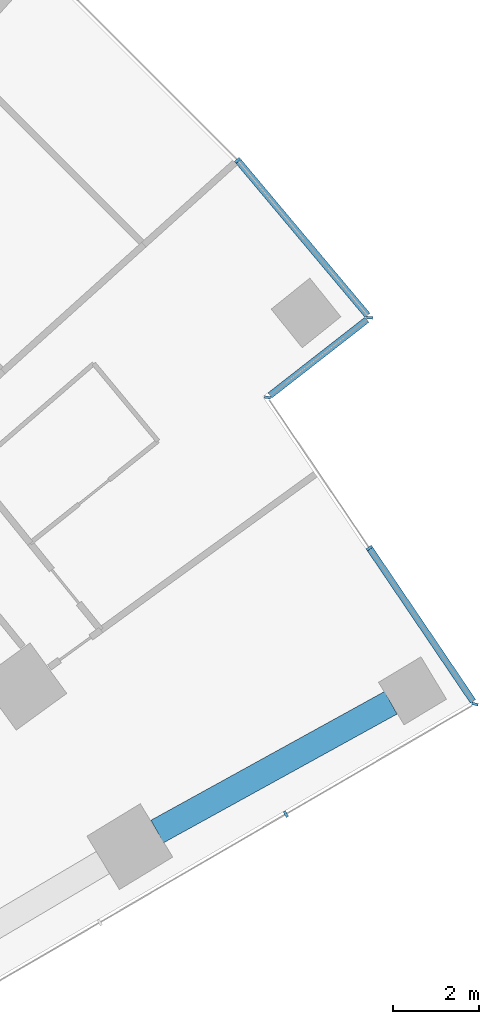
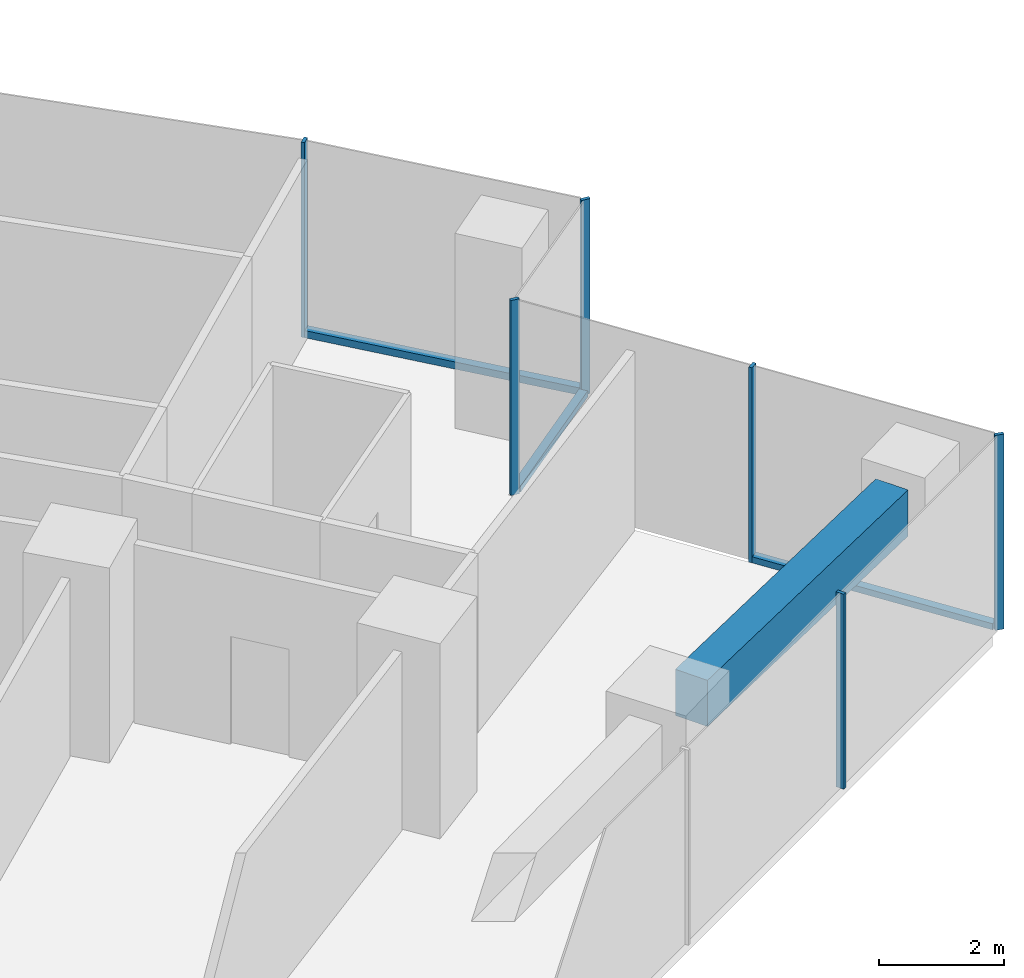
# One storey, part 9 of 20: 9 members, 1 beam, 4 elements without a shape of their own.
"""IFC4 building model written with IfcOpenShell, lengths in metres."""

from ifc_helpers import new_model, si_unit, direction, frame, origin, origin_2d, place, context, subcontext, project, spatial, rectangle, extrude, material, layer, layer_set, material_profile, profile_set, type_object, element, aggregate, save


model = new_model("IFC4")

# Units and contexts
model_context = context("Model", 3, precision=1e-05, world=origin(), true_north=direction((0.0, 1.0)))
body_context = subcontext(model_context, "Body", "Model", "MODEL_VIEW")
ifc_project = project(units=[si_unit("LENGTHUNIT", "METRE"), si_unit("AREAUNIT", "SQUARE_METRE"), si_unit("VOLUMEUNIT", "CUBIC_METRE"), si_unit("PLANEANGLEUNIT", "RADIAN"), si_unit("MASSUNIT", "GRAM", prefix="KILO")], contexts=[model_context])

# Site, building, storey
site_placement = place(None, origin())
site = spatial("IfcSite", under=ifc_project, at=site_placement, CompositionType="ELEMENT")
building_placement = place(site_placement, origin())
building = spatial("IfcBuilding", under=site, at=building_placement, Name="Stone Belt Terrace Tower", CompositionType="ELEMENT")
storey_placement = place(building_placement, frame((0.0, 0.0, 106.0)))
storey = spatial("IfcBuildingStorey", under=building, at=storey_placement, Name="L25", CompositionType="ELEMENT", Elevation=106.0)

# Curtain wall, members
ifc_material_1 = material(Name="Aluminium 6063-T6 anodised frame", Category="aluminium")
ifc_layer_1 = layer(ifc_material_1, 0.14990234375)
ifc_layer_set_1 = layer_set([ifc_layer_1], Name="CW-A unitised convex-face curtain wall")
curtain_wall_type_1 = type_object("IfcCurtainWallType", Name="CW-A unitised convex-face curtain wall", PredefinedType="NOTDEFINED", material=ifc_layer_set_1)
curtain_wall_1_placement = place(storey_placement, origin())
curtain_wall_1 = element("IfcCurtainWall", 1, at=curtain_wall_1_placement, inside=storey, type_object=curtain_wall_type_1, Name="CW-A convex face L25", PredefinedType="NOTDEFINED")
ifc_material_profile_1 = material_profile(ifc_material_1, rectangle(XDim=0.14990234375, YDim=0.06005859375, at=origin_2d()), Name="Aluminium 6063-T6 60x150")
ifc_profile_set_1 = profile_set([ifc_material_profile_1], Name="Aluminium 6063-T6 anodised frame")
member_type_1 = type_object("IfcMemberType", Name="CW-A mullion 60 x 150", PredefinedType="MULLION", material=ifc_profile_set_1)
member_1_placement = place(storey_placement, frame((52.539794921875, 40.89208984375, 0.0), z_axis=(0.0, 0.0, 1.0), x_axis=(-0.994464768622, 0.105070566623, 0.0)))
member_1 = element("IfcMember", 2, at=member_1_placement, type_object=member_type_1, Name="CW-A mullion 1", PredefinedType="MULLION", context=body_context, shape_type="SweptSolid", body=[
    extrude(rectangle(XDim=0.14990234375, YDim=0.06005859375, at=origin_2d()), origin(), (0.0, 0.0, 1.0), 3.800048828125),
])
member_2_placement = place(storey_placement, frame((49.474609375, 44.5478515625, 0.0), z_axis=(0.0, 0.0, 1.0), x_axis=(-0.737400080522, -0.675456231925, 0.0)))
member_2 = element("IfcMember", 3, at=member_2_placement, type_object=member_type_1, Name="CW-A mullion 2", PredefinedType="MULLION", context=body_context, shape_type="SweptSolid", body=[
    extrude(rectangle(XDim=0.14990234375, YDim=0.06005859375, at=origin_2d()), origin(), (0.0, 0.0, 1.0), 3.800048828125),
])
ifc_material_profile_2 = material_profile(ifc_material_1, rectangle(XDim=0.14990234375, YDim=0.139892578125, at=origin_2d()), Name="Aluminium 6063-T6 150x140")
ifc_profile_set_2 = profile_set([ifc_material_profile_2], Name="Aluminium 6063-T6 anodised frame")
member_type_2 = type_object("IfcMemberType", Name="CW-A transom 140 x 150", PredefinedType="USERDEFINED", material=ifc_profile_set_2)
member_3_placement = place(storey_placement, frame((52.49169921875, 40.949462890625, 0.070068359375), z_axis=(-0.642504178028, 0.766282181195, 0.0), x_axis=(-0.766282181195, -0.642504178028, 0.0)))
member_3 = element("IfcMember", 4, at=member_3_placement, type_object=member_type_2, Name="CW-A transom 1.1", ObjectType="TRANSOM", PredefinedType="USERDEFINED", context=body_context, shape_type="SweptSolid", body=[
    extrude(rectangle(XDim=0.14990234375, YDim=0.139892578125, at=origin_2d()), origin(), (0.0, 0.0, 1.0), 4.662841796875),
])
aggregate(curtain_wall_1, [member_1, member_2, member_3])

# Curtain wall, member
ifc_layer_2 = layer(ifc_material_1, 0.14990234375)
ifc_layer_set_2 = layer_set([ifc_layer_2], Name="CW-C stick curtain wall, horn ends and notches")
curtain_wall_type_2 = type_object("IfcCurtainWallType", Name="CW-C stick curtain wall, horn ends and notches", PredefinedType="NOTDEFINED", material=ifc_layer_set_2)
curtain_wall_2_placement = place(storey_placement, origin())
curtain_wall_2 = element("IfcCurtainWall", 5, at=curtain_wall_2_placement, inside=storey, type_object=curtain_wall_type_2, Name="CW-C end face L25", PredefinedType="NOTDEFINED")
ifc_material_profile_3 = material_profile(ifc_material_1, rectangle(XDim=0.14990234375, YDim=0.06005859375, at=origin_2d()), Name="Aluminium 6063-T6 60x150")
ifc_profile_set_3 = profile_set([ifc_material_profile_3], Name="Aluminium 6063-T6 anodised frame")
member_type_3 = type_object("IfcMemberType", Name="CW-C mullion 60 x 150", PredefinedType="MULLION", material=ifc_profile_set_3)
member_4_placement = place(storey_placement, frame((50.595703125, 29.365478515625, 0.0), z_axis=(0.0, 0.0, 1.0), x_axis=(-0.503080901861, 0.864239322284, 0.0)))
member_4 = element("IfcMember", 6, at=member_4_placement, type_object=member_type_3, Name="CW-C mullion 4", PredefinedType="MULLION", context=body_context, shape_type="SweptSolid", body=[
    extrude(rectangle(XDim=0.14990234375, YDim=0.06005859375, at=origin_2d()), origin(), (0.0, 0.0, 1.0), 3.800048828125),
])
aggregate(curtain_wall_2, [member_4])

# Curtain wall, members
curtain_wall_3_placement = place(storey_placement, origin())
curtain_wall_3 = element("IfcCurtainWall", 7, at=curtain_wall_3_placement, inside=storey, type_object=curtain_wall_type_2, Name="CW-C notch face L25", PredefinedType="NOTDEFINED")
member_5_placement = place(storey_placement, frame((54.986328125, 31.921142578125, 0.0), z_axis=(0.0, 0.0, 1.0), x_axis=(-0.974926991266, 0.222524968715, 0.0)))
member_5 = element("IfcMember", 8, at=member_5_placement, type_object=member_type_3, Name="CW-C mullion 1", PredefinedType="MULLION", context=body_context, shape_type="SweptSolid", body=[
    extrude(rectangle(XDim=0.14990234375, YDim=0.06005859375, at=origin_2d()), origin(), (0.0, 0.0, 1.0), 3.800048828125),
])
member_6_placement = place(storey_placement, frame((52.53515625, 35.5439453125, 0.0), z_axis=(0.0, 0.0, 1.0), x_axis=(-0.828244257471, -0.560367245622, 0.0)))
member_6 = element("IfcMember", 9, at=member_6_placement, type_object=member_type_3, Name="CW-C mullion 2", PredefinedType="MULLION", context=body_context, shape_type="SweptSolid", body=[
    extrude(rectangle(XDim=0.14990234375, YDim=0.06005859375, at=origin_2d()), origin(), (0.0, 0.0, 1.0), 3.800048828125),
])

# Curtain wall, member
curtain_wall_4_placement = place(storey_placement, origin())
curtain_wall_4 = element("IfcCurtainWall", 10, at=curtain_wall_4_placement, inside=storey, type_object=curtain_wall_type_2, Name="CW-C notch face L25", PredefinedType="NOTDEFINED")
member_7_placement = place(storey_placement, frame((50.16845703125, 39.0419921875, 0.0), z_axis=(0.0, 0.0, 1.0), x_axis=(-0.987742281651, 0.156093513764, 0.0)))
member_7 = element("IfcMember", 11, at=member_7_placement, type_object=member_type_3, Name="CW-C mullion 1", PredefinedType="MULLION", context=body_context, shape_type="SweptSolid", body=[
    extrude(rectangle(XDim=0.14990234375, YDim=0.06005859375, at=origin_2d()), origin(), (0.0, 0.0, 1.0), 3.800048828125),
])

# Member
ifc_material_profile_4 = material_profile(ifc_material_1, rectangle(XDim=0.14990234375, YDim=0.1201171875, at=origin_2d()), Name="Aluminium 6063-T6 150x120")
ifc_profile_set_4 = profile_set([ifc_material_profile_4], Name="Aluminium 6063-T6 anodised frame")
member_type_4 = type_object("IfcMemberType", Name="CW-C transom 120 x 150", PredefinedType="USERDEFINED", material=ifc_profile_set_4)
member_8_placement = place(storey_placement, frame((54.944091796875, 31.983642578125, 0.06005859375), z_axis=(-0.560388995766, 0.828229541507, 0.0), x_axis=(-0.828229541507, -0.560388995766, 0.0)))
member_8 = element("IfcMember", 12, at=member_8_placement, type_object=member_type_4, Name="CW-C transom 1.1", ObjectType="TRANSOM", PredefinedType="USERDEFINED", context=body_context, shape_type="SweptSolid", body=[
    extrude(rectangle(XDim=0.14990234375, YDim=0.1201171875, at=origin_2d()), origin(), (0.0, 0.0, 1.0), 4.2685546875),
])

aggregate(curtain_wall_3, [member_5, member_6, member_8])

member_9_placement = place(storey_placement, frame((50.22607421875, 39.087158203125, 0.06005859375), z_axis=(0.788505618167, 0.615027552325, 0.0), x_axis=(-0.615027552325, 0.788505618167, 0.0)))
member_9 = element("IfcMember", 13, at=member_9_placement, type_object=member_type_4, Name="CW-C transom 1.1", ObjectType="TRANSOM", PredefinedType="USERDEFINED", context=body_context, shape_type="SweptSolid", body=[
    extrude(rectangle(XDim=0.14990234375, YDim=0.1201171875, at=origin_2d()), origin(), (0.0, 0.0, 1.0), 2.859619140625),
])

aggregate(curtain_wall_4, [member_7, member_9])

# Beam
ifc_material_2 = material(Name="Concrete B60", Category="concrete")
ifc_material_profile_5 = material_profile(ifc_material_2, rectangle(XDim=0.60009765625, YDim=0.89990234375, at=origin_2d()), Name="RC 600x900")
ifc_profile_set_5 = profile_set([ifc_material_profile_5], Name="Concrete B60")
beam_type = type_object("IfcBeamType", Name="Edge beam RC 600x900 B60", PredefinedType="SPANDREL", material=ifc_profile_set_5)
beam_placement = place(storey_placement, frame((47.6083984375, 28.960693359375, 3.030029296875), z_axis=(0.875764462498, 0.482738652094, 0.0), x_axis=(-0.482738652094, 0.875764462498, 0.0)))
element("IfcBeam", 14, at=beam_placement, inside=storey, type_object=beam_type, Name="Edge beam L25 B Q to R", PredefinedType="SPANDREL", context=body_context, shape_type="SweptSolid", body=[
    extrude(rectangle(XDim=0.60009765625, YDim=0.89990234375, at=origin_2d()), origin(), (0.0, 0.0, 1.0), 6.19384765625),
])

save(model, "model.ifc")
